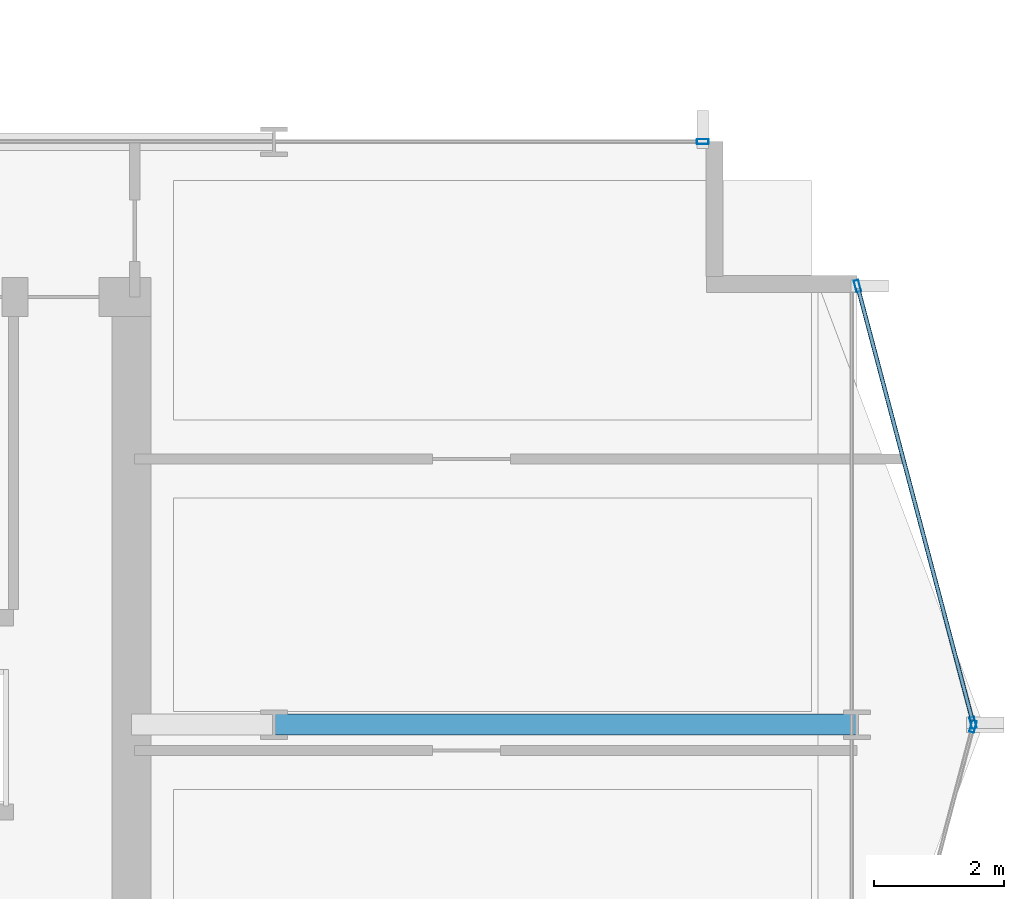
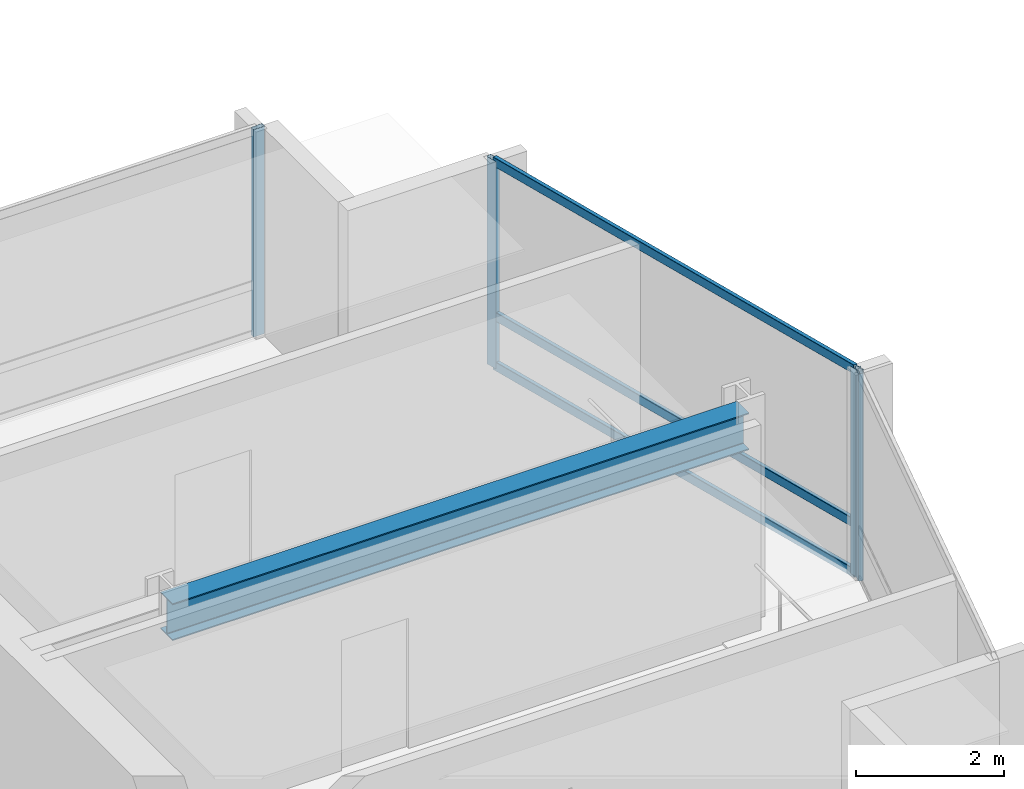
# One storey, part 14 of 29: 7 members, 1 beam, 3 elements without a shape of their own.
"""IFC4 building model written with IfcOpenShell, lengths in metres."""

from ifc_helpers import new_model, si_unit, direction, frame, origin, origin_2d, place, context, subcontext, project, spatial, hollow_rectangle, i_section, extrude, material, layer, layer_set, material_profile, profile_set, type_object, element, aggregate, save


model = new_model("IFC4")

# Units and contexts
model_context = context("Model", 3, precision=1e-05, world=origin(), true_north=direction((0.0, 1.0)))
body_context = subcontext(model_context, "Body", "Model", "MODEL_VIEW")
ifc_project = project(units=[si_unit("LENGTHUNIT", "METRE"), si_unit("AREAUNIT", "SQUARE_METRE"), si_unit("VOLUMEUNIT", "CUBIC_METRE"), si_unit("PLANEANGLEUNIT", "RADIAN"), si_unit("MASSUNIT", "GRAM", prefix="KILO")], contexts=[model_context])

# Site, building, storey
site_placement = place(None, origin())
site = spatial("IfcSite", under=ifc_project, at=site_placement, CompositionType="ELEMENT")
building_placement = place(site_placement, origin())
building = spatial("IfcBuilding", under=site, at=building_placement, Name="Solvaryn Broadcast Tower", CompositionType="ELEMENT")
storey_placement = place(building_placement, frame((0.0, 0.0, 121.10009765625)))
storey = spatial("IfcBuildingStorey", under=building, at=storey_placement, Name="L29", CompositionType="ELEMENT", Elevation=121.10009765625)

# Beam
ifc_material_1 = material(Name="Steel ASTM A992 Grade 50", Category="steel")
ifc_material_profile_1 = material_profile(ifc_material_1, i_section(OverallWidth=0.323974609375, OverallDepth=0.611083984375, WebThickness=0.0126953125, FlangeThickness=0.01904296875, FilletRadius=0.014892578125, at=origin_2d()))
ifc_profile_set_1 = profile_set([ifc_material_profile_1], Name="Steel ASTM A992 Grade 50")
beam_type = type_object("IfcBeamType", Name="BM-B1-W24X104", PredefinedType="BEAM", material=ifc_profile_set_1)
beam_placement = place(storey_placement, frame((45.0, 18.0, 3.114501953125), z_axis=(1.0, 0.0, 0.0), x_axis=(0.0, 1.0, 0.0)))
element("IfcBeam", 1, at=beam_placement, inside=storey, type_object=beam_type, Name="L29 Primary Beam X (45-54 @ Y=18)", PredefinedType="BEAM", context=body_context, shape_type="SweptSolid", body=[
    extrude(i_section(OverallWidth=0.323974609375, OverallDepth=0.611083984375, WebThickness=0.0126953125, FlangeThickness=0.01904296875, FilletRadius=0.014892578125, at=origin_2d()), origin(), (0.0, 0.0, 1.0), 9.0),
])

# Curtain wall, members
ifc_material_2 = material(Name="Aluminium and Terracotta Unitised Curtain Wall", Category="masonry")
ifc_layer = layer(ifc_material_2, 0.199951171875)
ifc_layer_set = layer_set([ifc_layer], Name="CW-SYS2-LOWMID")
curtain_wall_type = type_object("IfcCurtainWallType", Name="CW-SYS2-LOWMID", PredefinedType="NOTDEFINED", material=ifc_layer_set)
curtain_wall_1_placement = place(storey_placement, origin())
curtain_wall_1 = element("IfcCurtainWall", 2, at=curtain_wall_1_placement, inside=storey, type_object=curtain_wall_type, Name="L29 Curtain Wall ET1", PredefinedType="NOTDEFINED")
ifc_material_3 = material(Name="Anodised Aluminium 6063-T6", Category="aluminium")
ifc_material_profile_2 = material_profile(ifc_material_3, hollow_rectangle(XDim=0.074951171875, YDim=0.179931640625, WallThickness=0.00390625, InnerFilletRadius=0.00390625, OuterFilletRadius=0.008056640625, at=origin_2d()))
ifc_profile_set_2 = profile_set([ifc_material_profile_2], Name="Anodised Aluminium 6063-T6")
member_type_1 = type_object("IfcMemberType", Name="CW-MUL-180", PredefinedType="MULLION", material=ifc_profile_set_2)
member_1_placement = place(storey_placement, frame((54.007568359375, 24.77099609375, 0.0), z_axis=(0.0, 0.0, 1.0), x_axis=(0.966705227863, 0.25589256031, 0.0)))
member_1 = element("IfcMember", 3, at=member_1_placement, type_object=member_type_1, Name="CWS2 mullion 1", PredefinedType="MULLION", context=body_context, shape_type="SweptSolid", body=[
    extrude(hollow_rectangle(XDim=0.074951171875, YDim=0.179931640625, WallThickness=0.00390625, InnerFilletRadius=0.00390625, OuterFilletRadius=0.008056640625, at=origin_2d()), origin(), (0.0, 0.0, 1.0), 3.419921875),
])
member_2_placement = place(storey_placement, frame((55.792236328125, 18.029052734375, 0.0), z_axis=(0.0, 0.0, 1.0), x_axis=(0.966705227863, 0.25589256031, 0.0)))
member_2 = element("IfcMember", 4, at=member_2_placement, type_object=member_type_1, Name="CWS2 mullion 2", PredefinedType="MULLION", context=body_context, shape_type="SweptSolid", body=[
    extrude(hollow_rectangle(XDim=0.074951171875, YDim=0.179931640625, WallThickness=0.00390625, InnerFilletRadius=0.00390625, OuterFilletRadius=0.008056640625, at=origin_2d()), origin(), (0.0, 0.0, 1.0), 3.419921875),
])

# Curtain wall, member
curtain_wall_2_placement = place(storey_placement, origin())
curtain_wall_2 = element("IfcCurtainWall", 5, at=curtain_wall_2_placement, inside=storey, type_object=curtain_wall_type, Name="L29 Curtain Wall ET2", PredefinedType="NOTDEFINED")
member_3_placement = place(storey_placement, frame((55.792236328125, 17.970947265625, 0.0), z_axis=(0.0, 0.0, 1.0), x_axis=(0.966705227863, -0.25589256031, 0.0)))
member_3 = element("IfcMember", 6, at=member_3_placement, type_object=member_type_1, Name="CWS2 mullion 1", PredefinedType="MULLION", context=body_context, shape_type="SweptSolid", body=[
    extrude(hollow_rectangle(XDim=0.074951171875, YDim=0.179931640625, WallThickness=0.00390625, InnerFilletRadius=0.00390625, OuterFilletRadius=0.008056640625, at=origin_2d()), origin(), (0.0, 0.0, 1.0), 3.419921875),
])
aggregate(curtain_wall_2, [member_3])

curtain_wall_3_placement = place(storey_placement, origin())
curtain_wall_3 = element("IfcCurtainWall", 7, at=curtain_wall_3_placement, inside=storey, type_object=curtain_wall_type, Name="L29 Curtain Wall IH", PredefinedType="NOTDEFINED")
member_4_placement = place(storey_placement, frame((51.6201171875, 27.0, 0.0), z_axis=(0.0, 0.0, 1.0), x_axis=(0.0, 1.0, 0.0)))
member_4 = element("IfcMember", 8, at=member_4_placement, type_object=member_type_1, Name="CWS2 mullion 2", PredefinedType="MULLION", context=body_context, shape_type="SweptSolid", body=[
    extrude(hollow_rectangle(XDim=0.074951171875, YDim=0.179931640625, WallThickness=0.00390625, InnerFilletRadius=0.00390625, OuterFilletRadius=0.008056640625, at=origin_2d()), origin(), (0.0, 0.0, 1.0), 3.419921875),
])
aggregate(curtain_wall_3, [member_4])

# Member
ifc_material_4 = material(Name="Anodised Aluminium 6063-T6", Category="aluminium")
ifc_material_profile_3 = material_profile(ifc_material_4, hollow_rectangle(XDim=0.06494140625, YDim=0.14990234375, WallThickness=0.00390625, InnerFilletRadius=0.00390625, OuterFilletRadius=0.008056640625, at=origin_2d()))
ifc_profile_set_3 = profile_set([ifc_material_profile_3], Name="Anodised Aluminium 6063-T6")
member_type_2 = type_object("IfcMemberType", Name="CW-TRN-150", PredefinedType="USERDEFINED", material=ifc_profile_set_3)
member_5_placement = place(storey_placement, frame((54.015380859375, 24.741943359375, 0.02978515625), z_axis=(0.255897413051, -0.966703943301, 0.0), x_axis=(0.966703943301, 0.255897413051, 0.0)))
member_5 = element("IfcMember", 9, at=member_5_placement, type_object=member_type_2, Name="CWS2 transom 1.1", ObjectType="TRANSOM", PredefinedType="USERDEFINED", context=body_context, shape_type="SweptSolid", body=[
    extrude(hollow_rectangle(XDim=0.06494140625, YDim=0.14990234375, WallThickness=0.00390625, InnerFilletRadius=0.00390625, OuterFilletRadius=0.008056640625, at=origin_2d()), origin(), (0.0, 0.0, 1.0), 6.9140625),
])

member_6_placement = place(storey_placement, frame((54.015380859375, 24.741943359375, 0.849853515625), z_axis=(0.255897413051, -0.966703943301, 0.0), x_axis=(0.966703943301, 0.255897413051, 0.0)))
member_6 = element("IfcMember", 10, at=member_6_placement, type_object=member_type_2, Name="CWS2 transom 1.2", ObjectType="TRANSOM", PredefinedType="USERDEFINED", context=body_context, shape_type="SweptSolid", body=[
    extrude(hollow_rectangle(XDim=0.06494140625, YDim=0.14990234375, WallThickness=0.00390625, InnerFilletRadius=0.00390625, OuterFilletRadius=0.008056640625, at=origin_2d()), origin(), (0.0, 0.0, 1.0), 6.9140625),
])

member_7_placement = place(storey_placement, frame((54.015380859375, 24.741943359375, 3.389892578125), z_axis=(0.255897413051, -0.966703943301, 0.0), x_axis=(0.966703943301, 0.255897413051, 0.0)))
member_7 = element("IfcMember", 11, at=member_7_placement, type_object=member_type_2, Name="CWS2 transom 1.3", ObjectType="TRANSOM", PredefinedType="USERDEFINED", context=body_context, shape_type="SweptSolid", body=[
    extrude(hollow_rectangle(XDim=0.06494140625, YDim=0.14990234375, WallThickness=0.00390625, InnerFilletRadius=0.00390625, OuterFilletRadius=0.008056640625, at=origin_2d()), origin(), (0.0, 0.0, 1.0), 6.9140625),
])

aggregate(curtain_wall_1, [member_1, member_2, member_5, member_6, member_7])

save(model, "model.ifc")
